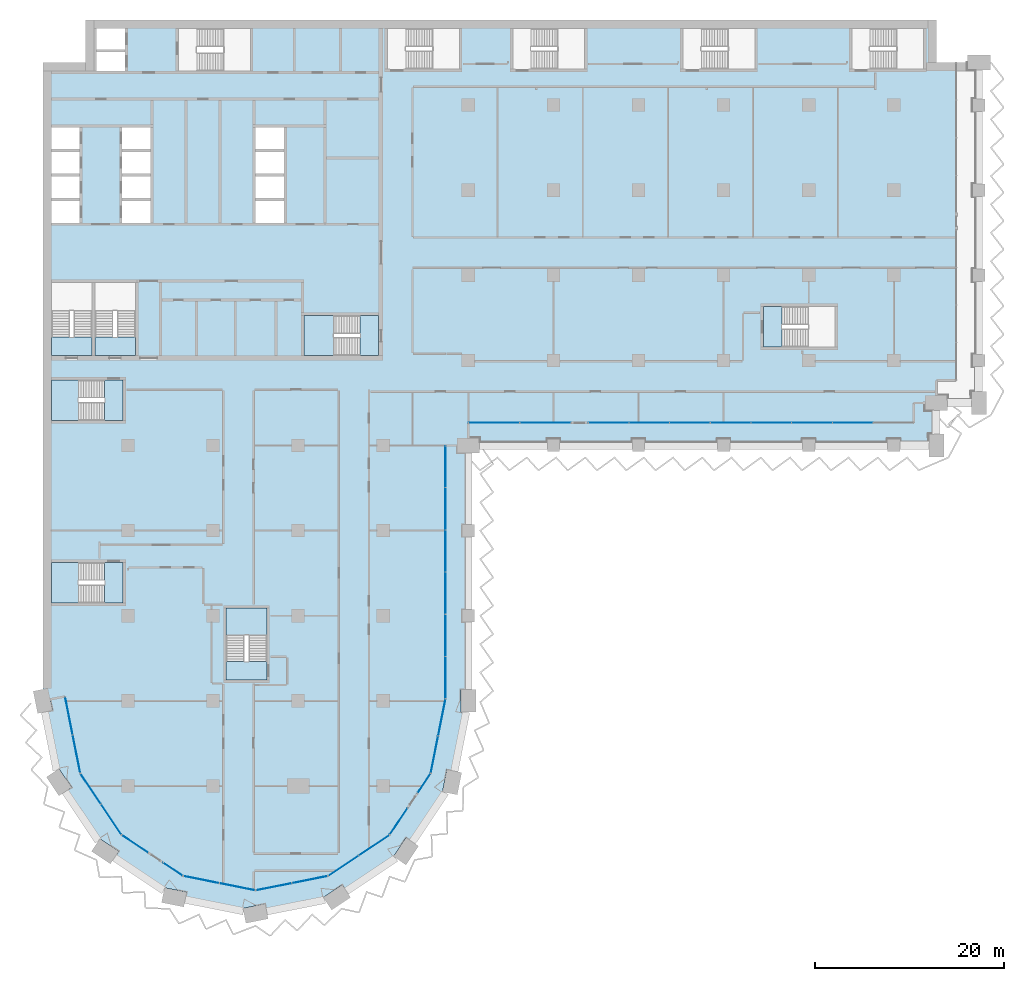
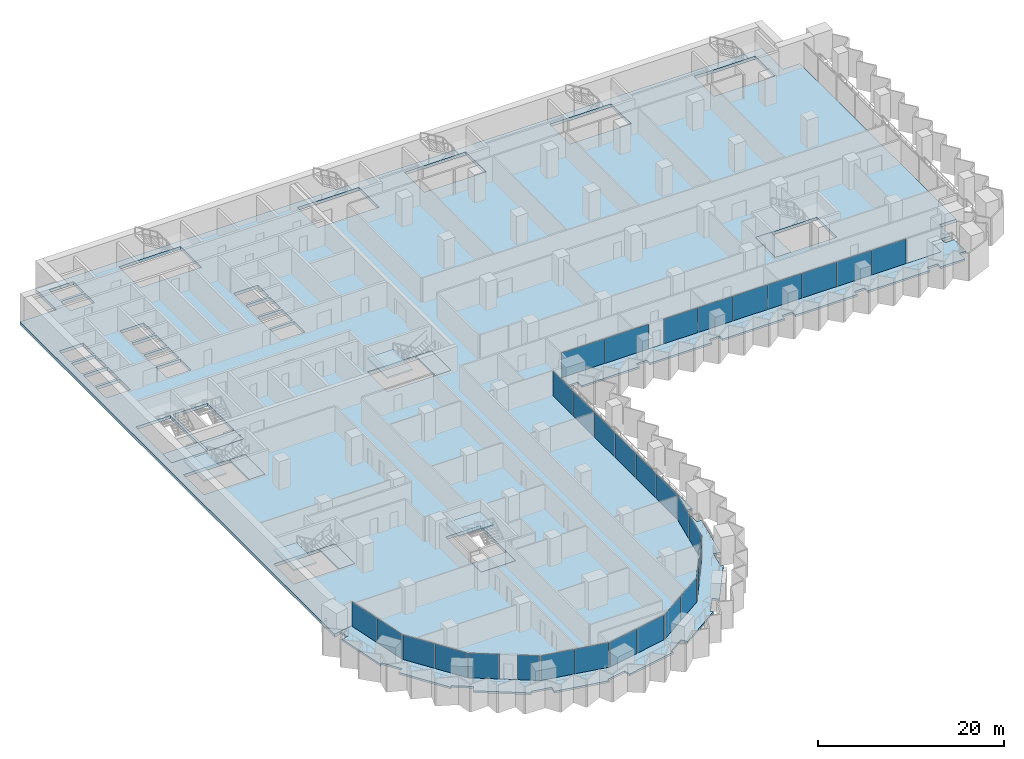
# One storey, part 8 of 29: 31 plates, 14 slabs, 17 elements without a shape of their own.
"""IFC4 building model written with IfcOpenShell, lengths in metres."""

from ifc_helpers import new_model, si_unit, direction, frame, origin, origin_2d, place, context, subcontext, project, spatial, polyline, rectangle, outline, extrude, material, layer, layer_set, type_object, element, aggregate, save


model = new_model("IFC4")

# Units and contexts
model_context = context("Model", 3, precision=1e-05, world=origin(), true_north=direction((0.0, 1.0)))
body_context = subcontext(model_context, "Body", "Model", "MODEL_VIEW")
ifc_project = project(units=[si_unit("LENGTHUNIT", "METRE"), si_unit("AREAUNIT", "SQUARE_METRE"), si_unit("VOLUMEUNIT", "CUBIC_METRE"), si_unit("PLANEANGLEUNIT", "RADIAN"), si_unit("MASSUNIT", "GRAM", prefix="KILO")], contexts=[model_context])

# Site, building, storey
site_placement = place(None, origin())
site = spatial("IfcSite", under=ifc_project, at=site_placement, CompositionType="ELEMENT")
building_placement = place(site_placement, origin())
building = spatial("IfcBuilding", under=site, at=building_placement, Name="Hunhe Ridgeline Campus", CompositionType="ELEMENT")
storey_placement = place(building_placement, frame((0.0, 0.0, 46.89990234375)))
storey = spatial("IfcBuildingStorey", under=building, at=storey_placement, Name="L10", CompositionType="ELEMENT", Elevation=46.89990234375)

# Curtain wall, plates
ifc_material_1 = material(Name="Aluminium 6063", Category="aluminium")
curtain_wall_type_1 = type_object("IfcCurtainWallType", Name="Curtain wall CW-5", PredefinedType="NOTDEFINED", material=ifc_material_1)
curtain_wall_1_placement = place(storey_placement, origin())
curtain_wall_1 = element("IfcCurtainWall", 1, at=curtain_wall_1_placement, inside=storey, type_object=curtain_wall_type_1, Name="Curtain wall 01", PredefinedType="NOTDEFINED")
ifc_material_2 = material(Name="Low-e laminated glass", Category="glass")
ifc_layer_1 = layer(ifc_material_2, 0.028076171875)
ifc_layer_set_1 = layer_set([ifc_layer_1], Name="Curtain wall glass panel 28 low-e laminated")
plate_type = type_object("IfcPlateType", Name="Curtain wall glass panel 28 low-e laminated", PredefinedType="CURTAIN_PANEL", material=ifc_layer_set_1)
plate_1_placement = place(storey_placement, frame((2.76318359375, 25.416015625, 0.0), z_axis=(0.0, 0.0, 1.0), x_axis=(0.195095347137, -0.980784280831, 0.0)))
plate_1 = element("IfcPlate", 2, at=plate_1_placement, type_object=plate_type, Name="CW-5 panel 1", PredefinedType="CURTAIN_PANEL", context=body_context, shape_type="SweptSolid", body=[
    extrude(rectangle(XDim=4.0458984375, YDim=0.028076171875, at=origin_2d()), origin(), (0.0, 0.0, 1.0), 3.22998046875),
])
plate_2_placement = place(storey_placement, frame((3.566162109375, 21.379150390625, 0.0), z_axis=(0.0, 0.0, 1.0), x_axis=(0.195095347137, -0.980784280831, 0.0)))
plate_2 = element("IfcPlate", 3, at=plate_2_placement, type_object=plate_type, Name="CW-5 panel 2", PredefinedType="CURTAIN_PANEL", context=body_context, shape_type="SweptSolid", body=[
    extrude(rectangle(XDim=4.0458984375, YDim=0.028076171875, at=origin_2d()), origin(), (0.0, 0.0, 1.0), 3.22998046875),
])
aggregate(curtain_wall_1, [plate_1, plate_2])

curtain_wall_2_placement = place(storey_placement, origin())
curtain_wall_2 = element("IfcCurtainWall", 4, at=curtain_wall_2_placement, inside=storey, type_object=curtain_wall_type_1, Name="Curtain wall 02", PredefinedType="NOTDEFINED")
plate_3_placement = place(storey_placement, frame((5.07080078125, 17.685546875, 0.0), z_axis=(0.0, 0.0, 1.0), x_axis=(0.555570274596, -0.831469584522, 0.0)))
plate_3 = element("IfcPlate", 5, at=plate_3_placement, type_object=plate_type, Name="CW-5 panel 1", PredefinedType="CURTAIN_PANEL", context=body_context, shape_type="SweptSolid", body=[
    extrude(rectangle(XDim=3.806884765625, YDim=0.028076171875, at=origin_2d()), origin(), (0.0, 0.0, 1.0), 3.22998046875),
])
plate_4_placement = place(storey_placement, frame((7.224609375, 14.4619140625, 0.0), z_axis=(0.0, 0.0, 1.0), x_axis=(0.555570274596, -0.831469584522, 0.0)))
plate_4 = element("IfcPlate", 6, at=plate_4_placement, type_object=plate_type, Name="CW-5 panel 2", PredefinedType="CURTAIN_PANEL", context=body_context, shape_type="SweptSolid", body=[
    extrude(rectangle(XDim=3.806884765625, YDim=0.028076171875, at=origin_2d()), origin(), (0.0, 0.0, 1.0), 3.22998046875),
])
aggregate(curtain_wall_2, [plate_3, plate_4])

# Curtain wall, plate
curtain_wall_3_placement = place(storey_placement, origin())
curtain_wall_3 = element("IfcCurtainWall", 7, at=curtain_wall_3_placement, inside=storey, type_object=curtain_wall_type_1, Name="Curtain wall 03", PredefinedType="NOTDEFINED")
plate_5_placement = place(storey_placement, frame((9.76025390625, 11.859375, 0.0), z_axis=(0.0, 0.0, 1.0), x_axis=(0.831469595944, -0.555570257501, 0.0)))
plate_5 = element("IfcPlate", 8, at=plate_5_placement, type_object=plate_type, Name="CW-5 panel 1", PredefinedType="CURTAIN_PANEL", context=body_context, shape_type="SweptSolid", body=[
    extrude(rectangle(XDim=3.322021484375, YDim=0.028076171875, at=origin_2d()), origin(), (0.0, 0.0, 1.0), 3.22998046875),
])
aggregate(curtain_wall_3, [plate_5])

curtain_wall_4_placement = place(storey_placement, origin())
curtain_wall_4 = element("IfcCurtainWall", 9, at=curtain_wall_4_placement, inside=storey, type_object=curtain_wall_type_1, Name="Curtain wall 04", PredefinedType="NOTDEFINED")
plate_6_placement = place(storey_placement, frame((13.761474609375, 9.18603515625, 0.0), z_axis=(0.0, 0.0, 1.0), x_axis=(0.831469510353, -0.555570385598, 0.0)))
plate_6 = element("IfcPlate", 10, at=plate_6_placement, type_object=plate_type, Name="CW-5 panel 1", PredefinedType="CURTAIN_PANEL", context=body_context, shape_type="SweptSolid", body=[
    extrude(rectangle(XDim=2.421875, YDim=0.028076171875, at=origin_2d()), origin(), (0.0, 0.0, 1.0), 3.22998046875),
])
aggregate(curtain_wall_4, [plate_6])

# Curtain wall, plates
curtain_wall_5_placement = place(storey_placement, origin())
curtain_wall_5 = element("IfcCurtainWall", 11, at=curtain_wall_5_placement, inside=storey, type_object=curtain_wall_type_1, Name="Curtain wall 05", PredefinedType="NOTDEFINED")
plate_7_placement = place(storey_placement, frame((16.761962890625, 8.08935546875, 0.0), z_axis=(0.0, 0.0, 1.0), x_axis=(0.980785275326, -0.195090347539, 0.0)))
plate_7 = element("IfcPlate", 12, at=plate_7_placement, type_object=plate_type, Name="CW-5 panel 1", PredefinedType="CURTAIN_PANEL", context=body_context, shape_type="SweptSolid", body=[
    extrude(rectangle(XDim=3.806884765625, YDim=0.028076171875, at=origin_2d()), origin(), (0.0, 0.0, 1.0), 3.22998046875),
])
plate_8_placement = place(storey_placement, frame((20.564453125, 7.3330078125, 0.0), z_axis=(0.0, 0.0, 1.0), x_axis=(0.980785275326, -0.195090347539, 0.0)))
plate_8 = element("IfcPlate", 13, at=plate_8_placement, type_object=plate_type, Name="CW-5 panel 2", PredefinedType="CURTAIN_PANEL", context=body_context, shape_type="SweptSolid", body=[
    extrude(rectangle(XDim=3.806884765625, YDim=0.028076171875, at=origin_2d()), origin(), (0.0, 0.0, 1.0), 3.22998046875),
])
aggregate(curtain_wall_5, [plate_7, plate_8])

curtain_wall_6_placement = place(storey_placement, origin())
curtain_wall_6 = element("IfcCurtainWall", 14, at=curtain_wall_6_placement, inside=storey, type_object=curtain_wall_type_1, Name="Curtain wall 06", PredefinedType="NOTDEFINED")
plate_9_placement = place(storey_placement, frame((24.435546875, 7.3330078125, 0.0), z_axis=(0.0, 0.0, 1.0), x_axis=(0.980785275326, 0.195090347539, 0.0)))
plate_9 = element("IfcPlate", 15, at=plate_9_placement, type_object=plate_type, Name="CW-5 panel 1", PredefinedType="CURTAIN_PANEL", context=body_context, shape_type="SweptSolid", body=[
    extrude(rectangle(XDim=3.806884765625, YDim=0.028076171875, at=origin_2d()), origin(), (0.0, 0.0, 1.0), 3.22998046875),
])
plate_10_placement = place(storey_placement, frame((28.238037109375, 8.08935546875, 0.0), z_axis=(0.0, 0.0, 1.0), x_axis=(0.980785275326, 0.195090347539, 0.0)))
plate_10 = element("IfcPlate", 16, at=plate_10_placement, type_object=plate_type, Name="CW-5 panel 2", PredefinedType="CURTAIN_PANEL", context=body_context, shape_type="SweptSolid", body=[
    extrude(rectangle(XDim=3.806884765625, YDim=0.028076171875, at=origin_2d()), origin(), (0.0, 0.0, 1.0), 3.22998046875),
])
aggregate(curtain_wall_6, [plate_9, plate_10])

curtain_wall_7_placement = place(storey_placement, origin())
curtain_wall_7 = element("IfcCurtainWall", 17, at=curtain_wall_7_placement, inside=storey, type_object=curtain_wall_type_1, Name="Curtain wall 07", PredefinedType="NOTDEFINED")
plate_11_placement = place(storey_placement, frame((31.814453125, 9.57080078125, 0.0), z_axis=(0.0, 0.0, 1.0), x_axis=(0.831469584522, 0.555570274596, 0.0)))
plate_11 = element("IfcPlate", 18, at=plate_11_placement, type_object=plate_type, Name="CW-5 panel 1", PredefinedType="CURTAIN_PANEL", context=body_context, shape_type="SweptSolid", body=[
    extrude(rectangle(XDim=3.806884765625, YDim=0.028076171875, at=origin_2d()), origin(), (0.0, 0.0, 1.0), 3.22998046875),
])
plate_12_placement = place(storey_placement, frame((35.0380859375, 11.724609375, 0.0), z_axis=(0.0, 0.0, 1.0), x_axis=(0.831469584522, 0.555570274596, 0.0)))
plate_12 = element("IfcPlate", 19, at=plate_12_placement, type_object=plate_type, Name="CW-5 panel 2", PredefinedType="CURTAIN_PANEL", context=body_context, shape_type="SweptSolid", body=[
    extrude(rectangle(XDim=3.806884765625, YDim=0.028076171875, at=origin_2d()), origin(), (0.0, 0.0, 1.0), 3.22998046875),
])
aggregate(curtain_wall_7, [plate_11, plate_12])

# Curtain wall, plate
curtain_wall_8_placement = place(storey_placement, origin())
curtain_wall_8 = element("IfcCurtainWall", 20, at=curtain_wall_8_placement, inside=storey, type_object=curtain_wall_type_1, Name="Curtain wall 08", PredefinedType="NOTDEFINED")
plate_13_placement = place(storey_placement, frame((37.640625, 14.26025390625, 0.0), z_axis=(0.0, 0.0, 1.0), x_axis=(0.555570257501, 0.831469595944, 0.0)))
plate_13 = element("IfcPlate", 21, at=plate_13_placement, type_object=plate_type, Name="CW-5 panel 1", PredefinedType="CURTAIN_PANEL", context=body_context, shape_type="SweptSolid", body=[
    extrude(rectangle(XDim=3.322021484375, YDim=0.028076171875, at=origin_2d()), origin(), (0.0, 0.0, 1.0), 3.22998046875),
])
aggregate(curtain_wall_8, [plate_13])

curtain_wall_9_placement = place(storey_placement, origin())
curtain_wall_9 = element("IfcCurtainWall", 22, at=curtain_wall_9_placement, inside=storey, type_object=curtain_wall_type_1, Name="Curtain wall 09", PredefinedType="NOTDEFINED")
plate_14_placement = place(storey_placement, frame((40.31396484375, 18.261474609375, 0.0), z_axis=(0.0, 0.0, 1.0), x_axis=(0.555570385598, 0.831469510353, 0.0)))
plate_14 = element("IfcPlate", 23, at=plate_14_placement, type_object=plate_type, Name="CW-5 panel 1", PredefinedType="CURTAIN_PANEL", context=body_context, shape_type="SweptSolid", body=[
    extrude(rectangle(XDim=2.421875, YDim=0.028076171875, at=origin_2d()), origin(), (0.0, 0.0, 1.0), 3.22998046875),
])
aggregate(curtain_wall_9, [plate_14])

# Curtain wall, plates
curtain_wall_10_placement = place(storey_placement, origin())
curtain_wall_10 = element("IfcCurtainWall", 24, at=curtain_wall_10_placement, inside=storey, type_object=curtain_wall_type_1, Name="Curtain wall 10", PredefinedType="NOTDEFINED")
plate_15_placement = place(storey_placement, frame((41.42236328125, 21.321044921875, 0.0), z_axis=(0.0, 0.0, 1.0), x_axis=(0.195090299215, 0.980785284939, 0.0)))
plate_15 = element("IfcPlate", 25, at=plate_15_placement, type_object=plate_type, Name="CW-5 panel 1", PredefinedType="CURTAIN_PANEL", context=body_context, shape_type="SweptSolid", body=[
    extrude(rectangle(XDim=3.927490234375, YDim=0.028076171875, at=origin_2d()), origin(), (0.0, 0.0, 1.0), 3.22998046875),
])
plate_16_placement = place(storey_placement, frame((42.2021484375, 25.24169921875, 0.0), z_axis=(0.0, 0.0, 1.0), x_axis=(0.195090299215, 0.980785284939, 0.0)))
plate_16 = element("IfcPlate", 26, at=plate_16_placement, type_object=plate_type, Name="CW-5 panel 2", PredefinedType="CURTAIN_PANEL", context=body_context, shape_type="SweptSolid", body=[
    extrude(rectangle(XDim=3.927490234375, YDim=0.028076171875, at=origin_2d()), origin(), (0.0, 0.0, 1.0), 3.22998046875),
])
aggregate(curtain_wall_10, [plate_15, plate_16])

curtain_wall_type_2 = type_object("IfcCurtainWallType", Name="Curtain wall CW-1", PredefinedType="NOTDEFINED", material=ifc_material_1)
curtain_wall_11_placement = place(storey_placement, origin())
curtain_wall_11 = element("IfcCurtainWall", 27, at=curtain_wall_11_placement, inside=storey, type_object=curtain_wall_type_2, Name="Curtain wall 11", PredefinedType="NOTDEFINED")
plate_17_placement = place(storey_placement, frame((42.59912109375, 29.481689453125, 0.0), z_axis=(0.0, 0.0, 1.0), x_axis=(1.8682e-07, 1.0, 0.0)))
plate_17 = element("IfcPlate", 28, at=plate_17_placement, type_object=plate_type, Name="CW-1 panel 1", PredefinedType="CURTAIN_PANEL", context=body_context, shape_type="SweptSolid", body=[
    extrude(rectangle(XDim=4.37060546875, YDim=0.028076171875, at=origin_2d()), origin(), (0.0, 0.0, 1.0), 3.239990234375),
])
plate_18_placement = place(storey_placement, frame((42.59912109375, 33.927490234375, 0.0), z_axis=(0.0, 0.0, 1.0), x_axis=(1.8682e-07, 1.0, 0.0)))
plate_18 = element("IfcPlate", 29, at=plate_18_placement, type_object=plate_type, Name="CW-1 panel 2", PredefinedType="CURTAIN_PANEL", context=body_context, shape_type="SweptSolid", body=[
    extrude(rectangle(XDim=4.400634765625, YDim=0.028076171875, at=origin_2d()), origin(), (0.0, 0.0, 1.0), 3.239990234375),
])
plate_19_placement = place(storey_placement, frame((42.59912109375, 38.387939453125, 0.0), z_axis=(0.0, 0.0, 1.0), x_axis=(1.8682e-07, 1.0, 0.0)))
plate_19 = element("IfcPlate", 30, at=plate_19_placement, type_object=plate_type, Name="CW-1 panel 3", PredefinedType="CURTAIN_PANEL", context=body_context, shape_type="SweptSolid", body=[
    extrude(rectangle(XDim=4.400634765625, YDim=0.028076171875, at=origin_2d()), origin(), (0.0, 0.0, 1.0), 3.239990234375),
])
plate_20_placement = place(storey_placement, frame((42.59912109375, 42.8486328125, 0.0), z_axis=(0.0, 0.0, 1.0), x_axis=(1.8682e-07, 1.0, 0.0)))
plate_20 = element("IfcPlate", 31, at=plate_20_placement, type_object=plate_type, Name="CW-1 panel 4", PredefinedType="CURTAIN_PANEL", context=body_context, shape_type="SweptSolid", body=[
    extrude(rectangle(XDim=4.400634765625, YDim=0.028076171875, at=origin_2d()), origin(), (0.0, 0.0, 1.0), 3.239990234375),
])
plate_21_placement = place(storey_placement, frame((42.59912109375, 47.30908203125, 0.0), z_axis=(0.0, 0.0, 1.0), x_axis=(1.8682e-07, 1.0, 0.0)))
plate_21 = element("IfcPlate", 32, at=plate_21_placement, type_object=plate_type, Name="CW-1 panel 5", PredefinedType="CURTAIN_PANEL", context=body_context, shape_type="SweptSolid", body=[
    extrude(rectangle(XDim=4.400634765625, YDim=0.028076171875, at=origin_2d()), origin(), (0.0, 0.0, 1.0), 3.239990234375),
])
plate_22_placement = place(storey_placement, frame((42.59912109375, 51.7548828125, 0.0), z_axis=(0.0, 0.0, 1.0), x_axis=(1.8682e-07, 1.0, 0.0)))
plate_22 = element("IfcPlate", 33, at=plate_22_placement, type_object=plate_type, Name="CW-1 panel 6", PredefinedType="CURTAIN_PANEL", context=body_context, shape_type="SweptSolid", body=[
    extrude(rectangle(XDim=4.37060546875, YDim=0.028076171875, at=origin_2d()), origin(), (0.0, 0.0, 1.0), 3.239990234375),
])
aggregate(curtain_wall_11, [plate_17, plate_18, plate_19, plate_20, plate_21, plate_22])

curtain_wall_12_placement = place(storey_placement, origin())
curtain_wall_12 = element("IfcCurtainWall", 34, at=curtain_wall_12_placement, inside=storey, type_object=curtain_wall_type_2, Name="Curtain wall 12", PredefinedType="NOTDEFINED")
plate_23_placement = place(storey_placement, frame((47.733154296875, 56.40087890625, 0.0), z_axis=(0.0, 0.0, 1.0), x_axis=(0.999999999994, 3.58625e-06, 0.0)))
plate_23 = element("IfcPlate", 35, at=plate_23_placement, type_object=plate_type, Name="CW-1 panel 1", PredefinedType="CURTAIN_PANEL", context=body_context, shape_type="SweptSolid", body=[
    extrude(rectangle(XDim=5.347412109375, YDim=0.028076171875, at=origin_2d()), origin(), (0.0, 0.0, 1.0), 3.239990234375),
])
plate_24_placement = place(storey_placement, frame((53.140625, 56.40087890625, 0.0), z_axis=(0.0, 0.0, 1.0), x_axis=(0.999999999994, 3.58625e-06, 0.0)))
plate_24 = element("IfcPlate", 36, at=plate_24_placement, type_object=plate_type, Name="CW-1 panel 2", PredefinedType="CURTAIN_PANEL", context=body_context, shape_type="SweptSolid", body=[
    extrude(rectangle(XDim=5.347412109375, YDim=0.028076171875, at=origin_2d()), origin(), (0.0, 0.0, 1.0), 3.239990234375),
])
aggregate(curtain_wall_12, [plate_23, plate_24])

curtain_wall_13_placement = place(storey_placement, origin())
curtain_wall_13 = element("IfcCurtainWall", 37, at=curtain_wall_13_placement, inside=storey, type_object=curtain_wall_type_2, Name="Curtain wall 13", PredefinedType="NOTDEFINED")
plate_25_placement = place(storey_placement, frame((59.8408203125, 56.40087890625, 0.0), z_axis=(0.0, 0.0, 1.0), x_axis=(0.999999999994, 3.602063e-06, 0.0)))
plate_25 = element("IfcPlate", 38, at=plate_25_placement, type_object=plate_type, Name="CW-1 panel 1", PredefinedType="CURTAIN_PANEL", context=body_context, shape_type="SweptSolid", body=[
    extrude(rectangle(XDim=4.213134765625, YDim=0.028076171875, at=origin_2d()), origin(), (0.0, 0.0, 1.0), 3.239990234375),
])
plate_26_placement = place(storey_placement, frame((64.12890625, 56.40087890625, 0.0), z_axis=(0.0, 0.0, 1.0), x_axis=(0.999999999994, 3.602063e-06, 0.0)))
plate_26 = element("IfcPlate", 39, at=plate_26_placement, type_object=plate_type, Name="CW-1 panel 2", PredefinedType="CURTAIN_PANEL", context=body_context, shape_type="SweptSolid", body=[
    extrude(rectangle(XDim=4.2431640625, YDim=0.028076171875, at=origin_2d()), origin(), (0.0, 0.0, 1.0), 3.239990234375),
])
plate_27_placement = place(storey_placement, frame((68.43212890625, 56.40087890625, 0.0), z_axis=(0.0, 0.0, 1.0), x_axis=(0.999999999994, 3.602063e-06, 0.0)))
plate_27 = element("IfcPlate", 40, at=plate_27_placement, type_object=plate_type, Name="CW-1 panel 3", PredefinedType="CURTAIN_PANEL", context=body_context, shape_type="SweptSolid", body=[
    extrude(rectangle(XDim=4.2431640625, YDim=0.028076171875, at=origin_2d()), origin(), (0.0, 0.0, 1.0), 3.239990234375),
])
plate_28_placement = place(storey_placement, frame((72.735107421875, 56.40087890625, 0.0), z_axis=(0.0, 0.0, 1.0), x_axis=(0.999999999994, 3.602063e-06, 0.0)))
plate_28 = element("IfcPlate", 41, at=plate_28_placement, type_object=plate_type, Name="CW-1 panel 4", PredefinedType="CURTAIN_PANEL", context=body_context, shape_type="SweptSolid", body=[
    extrude(rectangle(XDim=4.2431640625, YDim=0.028076171875, at=origin_2d()), origin(), (0.0, 0.0, 1.0), 3.239990234375),
])
plate_29_placement = place(storey_placement, frame((77.038330078125, 56.40087890625, 0.0), z_axis=(0.0, 0.0, 1.0), x_axis=(0.999999999994, 3.602063e-06, 0.0)))
plate_29 = element("IfcPlate", 42, at=plate_29_placement, type_object=plate_type, Name="CW-1 panel 5", PredefinedType="CURTAIN_PANEL", context=body_context, shape_type="SweptSolid", body=[
    extrude(rectangle(XDim=4.2431640625, YDim=0.028076171875, at=origin_2d()), origin(), (0.0, 0.0, 1.0), 3.239990234375),
])
plate_30_placement = place(storey_placement, frame((81.34130859375, 56.40087890625, 0.0), z_axis=(0.0, 0.0, 1.0), x_axis=(0.999999999994, 3.602063e-06, 0.0)))
plate_30 = element("IfcPlate", 43, at=plate_30_placement, type_object=plate_type, Name="CW-1 panel 6", PredefinedType="CURTAIN_PANEL", context=body_context, shape_type="SweptSolid", body=[
    extrude(rectangle(XDim=4.2431640625, YDim=0.028076171875, at=origin_2d()), origin(), (0.0, 0.0, 1.0), 3.239990234375),
])
plate_31_placement = place(storey_placement, frame((85.644287109375, 56.40087890625, 0.0), z_axis=(0.0, 0.0, 1.0), x_axis=(0.999999999994, 3.602063e-06, 0.0)))
plate_31 = element("IfcPlate", 44, at=plate_31_placement, type_object=plate_type, Name="CW-1 panel 7", PredefinedType="CURTAIN_PANEL", context=body_context, shape_type="SweptSolid", body=[
    extrude(rectangle(XDim=4.2431640625, YDim=0.028076171875, at=origin_2d()), origin(), (0.0, 0.0, 1.0), 3.239990234375),
])
aggregate(curtain_wall_13, [plate_25, plate_26, plate_27, plate_28, plate_29, plate_30, plate_31])

# Slabs
ifc_material_3 = material(Name="Concrete C40", Category="concrete")
ifc_layer_2 = layer(ifc_material_3, 0.39990234375)
ifc_layer_set_2 = layer_set([ifc_layer_2], Name="Floor slab 400 Concrete C40")
slab_type_1 = type_object("IfcSlabType", Name="Floor slab 400 Concrete C40", PredefinedType="FLOOR", material=ifc_layer_set_2)
slab_1_placement = place(storey_placement, frame((0.0, 0.0, -0.39990234375)))
element("IfcSlab", 45, at=slab_1_placement, inside=storey, type_object=slab_type_1, Name="Floor slab L10 1", PredefinedType="FLOOR", context=body_context, shape_type="SweptSolid", body=[
    extrude(outline(polyline([(4.5, 94.5), (0.0, 94.5), (0.0, 27.0009765625), (2.354736328125, 27.46875), (3.974365234375, 19.326416015625), (8.321044921875, 12.821044921875), (14.826416015625, 8.474365234375), (22.5, 6.947998046875), (30.173583984375, 8.474365234375), (36.678955078125, 12.821044921875), (41.025634765625, 19.326416015625), (42.59912109375, 27.236572265625), (42.59912109375, 54.0), (44.9990234375, 54.0009765625), (44.99951171875, 56.40087890625), (92.09912109375, 56.40087890625), (92.099365234375, 58.500732421875), (94.4990234375, 58.5009765625), (94.499267578125, 60.900634765625), (96.59912109375, 60.90087890625), (96.59912109375, 94.5), (94.5, 94.5), (94.5, 99.0), (4.5, 99.0), (4.5, 94.5)]), holes=[polyline([(93.14990234375, 93.800048828125), (93.14990234375, 98.10009765625), (85.550048828125, 98.10009765625), (85.550048828125, 93.800048828125), (93.14990234375, 93.800048828125)]), polyline([(76.199951171875, 68.699951171875), (76.199951171875, 64.39990234375), (83.800048828125, 64.39990234375), (83.800048828125, 68.699951171875), (76.199951171875, 68.699951171875)]), polyline([(75.300048828125, 98.10009765625), (67.699951171875, 98.10009765625), (67.699951171875, 93.800048828125), (75.300048828125, 93.800048828125), (75.300048828125, 98.10009765625)]), polyline([(49.699951171875, 98.10009765625), (49.699951171875, 93.800048828125), (57.300048828125, 93.800048828125), (57.300048828125, 98.10009765625), (49.699951171875, 98.10009765625)]), polyline([(36.449951171875, 93.800048828125), (44.050048828125, 93.800048828125), (44.050048828125, 98.10009765625), (36.449951171875, 98.10009765625), (36.449951171875, 93.800048828125)]), polyline([(35.5, 63.5), (35.5, 67.75), (27.60009765625, 67.75), (27.60009765625, 63.5), (35.5, 63.5)]), polyline([(25.5, 80.14990234375), (25.5, 82.449951171875), (22.5, 82.449951171875), (22.5, 80.14990234375), (25.5, 80.14990234375)]), polyline([(25.5, 79.85009765625), (22.5, 79.85009765625), (22.5, 77.550048828125), (25.5, 77.550048828125), (25.5, 79.85009765625)]), polyline([(22.5, 87.64990234375), (22.5, 85.35009765625), (25.5, 85.35009765625), (25.5, 87.64990234375), (22.5, 87.64990234375)]), polyline([(22.5, 82.75), (25.5, 82.75), (25.5, 85.050048828125), (22.5, 85.050048828125), (22.5, 82.75)]), polyline([(23.699951171875, 29.199951171875), (23.699951171875, 36.800048828125), (19.39990234375, 36.800048828125), (19.39990234375, 29.199951171875), (23.699951171875, 29.199951171875)]), polyline([(14.35009765625, 93.60009765625), (21.949951171875, 93.60009765625), (21.949951171875, 98.10009765625), (14.35009765625, 98.10009765625), (14.35009765625, 93.60009765625)]), polyline([(11.39990234375, 79.85009765625), (8.39990234375, 79.85009765625), (8.39990234375, 77.550048828125), (11.39990234375, 77.550048828125), (11.39990234375, 79.85009765625)]), polyline([(11.39990234375, 80.14990234375), (11.39990234375, 82.449951171875), (8.39990234375, 82.449951171875), (8.39990234375, 80.14990234375), (11.39990234375, 80.14990234375)]), polyline([(8.39990234375, 87.64990234375), (8.39990234375, 85.35009765625), (11.39990234375, 85.35009765625), (11.39990234375, 87.64990234375), (8.39990234375, 87.64990234375)]), polyline([(8.39990234375, 82.75), (11.39990234375, 82.75), (11.39990234375, 85.050048828125), (8.39990234375, 85.050048828125), (8.39990234375, 82.75)]), polyline([(9.800048828125, 71.25), (5.5, 71.25), (5.5, 63.5), (9.800048828125, 63.5), (9.800048828125, 71.25)]), polyline([(8.699951171875, 95.89990234375), (8.699951171875, 98.10009765625), (5.699951171875, 98.10009765625), (5.699951171875, 95.89990234375), (8.699951171875, 95.89990234375)]), polyline([(8.699951171875, 95.60009765625), (5.699951171875, 95.60009765625), (5.699951171875, 93.60009765625), (8.699951171875, 93.60009765625), (8.699951171875, 95.60009765625)]), polyline([(0.89990234375, 37.35009765625), (8.5, 37.35009765625), (8.5, 41.64990234375), (0.89990234375, 41.64990234375), (0.89990234375, 37.35009765625)]), polyline([(0.89990234375, 60.949951171875), (0.89990234375, 56.64990234375), (8.5, 56.64990234375), (8.5, 60.949951171875), (0.89990234375, 60.949951171875)]), polyline([(0.89990234375, 71.25), (0.89990234375, 63.5), (5.199951171875, 63.5), (5.199951171875, 71.25), (0.89990234375, 71.25)]), polyline([(3.89990234375, 80.14990234375), (3.89990234375, 82.449951171875), (0.89990234375, 82.449951171875), (0.89990234375, 80.14990234375), (3.89990234375, 80.14990234375)]), polyline([(3.89990234375, 79.85009765625), (0.89990234375, 79.85009765625), (0.89990234375, 77.550048828125), (3.89990234375, 77.550048828125), (3.89990234375, 79.85009765625)]), polyline([(0.89990234375, 87.64990234375), (0.89990234375, 85.35009765625), (3.89990234375, 85.35009765625), (3.89990234375, 87.64990234375), (0.89990234375, 87.64990234375)]), polyline([(0.89990234375, 82.75), (3.89990234375, 82.75), (3.89990234375, 85.050048828125), (0.89990234375, 85.050048828125), (0.89990234375, 82.75)])]), origin(), (0.0, 0.0, 1.0), 0.39990234375),
])
ifc_layer_3 = layer(ifc_material_3, 0.25)
ifc_layer_set_3 = layer_set([ifc_layer_3], Name="Loggia slab 250 Concrete C40")
slab_type_2 = type_object("IfcSlabType", Name="Loggia slab 250 Concrete C40", PredefinedType="FLOOR", material=ifc_layer_set_3)
slab_2_placement = place(storey_placement, frame((0.0, 0.0, -0.25)))
element("IfcSlab", 46, at=slab_2_placement, inside=storey, type_object=slab_type_2, Name="Loggia slab 1", PredefinedType="FLOOR", context=body_context, shape_type="SweptSolid", body=[
    extrude(outline(polyline([(30.173828125, 8.473388671875), (22.5, 6.947021484375), (14.826171875, 8.473388671875), (8.3203125, 12.8203125), (3.973388671875, 19.326171875), (2.35400390625, 27.46826171875), (0.78466796875, 27.156005859375), (1.018798828125, 25.979248046875), (0.234130859375, 25.822998046875), (1.459228515625, 19.66357421875), (1.711181640625, 19.831787109375), (3.044677734375, 17.83642578125), (2.37939453125, 17.391845703125), (5.868408203125, 12.170166015625), (6.036865234375, 12.421875), (8.0322265625, 11.088623046875), (7.587890625, 10.42333984375), (12.8095703125, 6.934326171875), (12.86865234375, 7.2314453125), (15.22265625, 6.76318359375), (15.066650390625, 5.978515625), (21.22607421875, 4.75341796875), (21.1669921875, 5.050537109375), (23.520751953125, 5.518798828125), (23.677001953125, 4.734130859375), (29.83642578125, 5.959228515625), (29.668212890625, 6.211181640625), (31.66357421875, 7.544677734375), (32.108154296875, 6.87939453125), (37.329833984375, 10.368408203125), (37.078125, 10.536865234375), (38.411376953125, 12.5322265625), (39.07666015625, 12.087890625), (42.565673828125, 17.3095703125), (42.2685546875, 17.36865234375), (42.73681640625, 19.72265625), (43.521484375, 19.566650390625), (44.76123046875, 25.800048828125), (44.199951171875, 25.800048828125), (44.199951171875, 28.199951171875), (45.0, 28.199951171875), (45.0, 35.35009765625), (44.35009765625, 35.35009765625), (44.35009765625, 36.64990234375), (45.0, 36.64990234375), (45.0, 44.35009765625), (44.35009765625, 44.35009765625), (44.35009765625, 45.64990234375), (45.0, 45.64990234375), (45.0, 53.199951171875), (43.800048828125, 53.199951171875), (43.800048828125, 54.0), (42.60009765625, 54.0), (42.60009765625, 27.236328125), (41.026611328125, 19.326171875), (36.6796875, 12.8203125), (30.173828125, 8.473388671875)])), origin(), (0.0, 0.0, 1.0), 0.25),
])
slab_3_placement = place(storey_placement, frame((0.0, 0.0, -0.25)))
element("IfcSlab", 47, at=slab_3_placement, inside=storey, type_object=slab_type_2, Name="Loggia slab 2", PredefinedType="FLOOR", context=body_context, shape_type="SweptSolid", body=[
    extrude(outline(polyline([(45.0, 54.800048828125), (46.199951171875, 54.800048828125), (46.199951171875, 54.0), (53.35009765625, 54.0), (53.35009765625, 54.64990234375), (54.64990234375, 54.64990234375), (54.64990234375, 54.0), (62.35009765625, 54.0), (62.35009765625, 54.64990234375), (63.64990234375, 54.64990234375), (63.64990234375, 54.0), (71.35009765625, 54.0), (71.35009765625, 54.64990234375), (72.64990234375, 54.64990234375), (72.64990234375, 54.0), (80.35009765625, 54.0), (80.35009765625, 54.64990234375), (81.64990234375, 54.64990234375), (81.64990234375, 54.0), (89.35009765625, 54.0), (89.35009765625, 54.64990234375), (90.64990234375, 54.64990234375), (90.64990234375, 54.0), (93.699951171875, 54.0), (93.699951171875, 55.199951171875), (94.5, 55.199951171875), (94.5, 57.699951171875), (93.300048828125, 57.699951171875), (93.300048828125, 58.5), (92.10009765625, 58.5), (92.10009765625, 56.39990234375), (45.0, 56.39990234375), (45.0, 54.800048828125)])), origin(), (0.0, 0.0, 1.0), 0.25),
])

# Stair, slab
stair_type = type_object("IfcStairType", Name="Reinforced concrete dog-leg stair 1950 Concrete C40", PredefinedType="HALF_TURN_STAIR", material=ifc_material_3)
stair_1_placement = place(storey_placement, origin())
stair_1 = element("IfcStair", 48, at=stair_1_placement, inside=storey, type_object=stair_type, Name="L10 S2", PredefinedType="HALF_TURN_STAIR")
ifc_layer_4 = layer(ifc_material_3, 0.199951171875)
ifc_layer_set_4 = layer_set([ifc_layer_4], Name="Reinforced concrete stair landing 200 Concrete C40")
slab_type_3 = type_object("IfcSlabType", Name="Reinforced concrete stair landing 200 Concrete C40", PredefinedType="LANDING", material=ifc_layer_set_4)
slab_4_placement = place(storey_placement, frame((0.0, 0.0, 1.650146484375)))
slab_4 = element("IfcSlab", 49, at=slab_4_placement, type_object=slab_type_3, Name="ST2 landing 1", PredefinedType="LANDING", context=body_context, shape_type="SweptSolid", body=[
    extrude(outline(polyline([(30.75, 67.75), (27.60009765625, 67.75), (27.60009765625, 63.5), (30.75, 63.5), (30.75, 67.75)])), origin(), (0.0, 0.0, 1.0), 0.199951171875),
])
aggregate(stair_1, [slab_4])

# Slabs
slab_5_placement = place(storey_placement, frame((0.0, 0.0, -0.199951171875)))
element("IfcSlab", 50, at=slab_5_placement, inside=storey, type_object=slab_type_3, Name="L10 stair S2 floor landing", PredefinedType="LANDING", context=body_context, shape_type="SweptSolid", body=[
    extrude(outline(polyline([(35.5, 67.75), (33.550048828125, 67.75), (33.550048828125, 63.5), (35.5, 63.5), (35.5, 67.75)])), origin(), (0.0, 0.0, 1.0), 0.199951171875),
])
slab_6_placement = place(storey_placement, frame((0.0, 0.0, -0.199951171875)))
element("IfcSlab", 51, at=slab_6_placement, inside=storey, type_object=slab_type_3, Name="L10 stair S3 floor landing", PredefinedType="LANDING", context=body_context, shape_type="SweptSolid", body=[
    extrude(outline(polyline([(5.199951171875, 63.5), (5.199951171875, 65.449951171875), (0.89990234375, 65.449951171875), (0.89990234375, 63.5), (5.199951171875, 63.5)])), origin(), (0.0, 0.0, 1.0), 0.199951171875),
])
slab_7_placement = place(storey_placement, frame((0.0, 0.0, -0.199951171875)))
element("IfcSlab", 52, at=slab_7_placement, inside=storey, type_object=slab_type_3, Name="L10 stair S4 floor landing", PredefinedType="LANDING", context=body_context, shape_type="SweptSolid", body=[
    extrude(outline(polyline([(9.800048828125, 63.5), (9.800048828125, 65.449951171875), (5.5, 65.449951171875), (5.5, 63.5), (9.800048828125, 63.5)])), origin(), (0.0, 0.0, 1.0), 0.199951171875),
])

# Stair, slab
stair_2_placement = place(storey_placement, origin())
stair_2 = element("IfcStair", 53, at=stair_2_placement, inside=storey, type_object=stair_type, Name="L10 W3", PredefinedType="HALF_TURN_STAIR")
slab_8_placement = place(storey_placement, frame((0.0, 0.0, 1.650146484375)))
slab_8 = element("IfcSlab", 54, at=slab_8_placement, type_object=slab_type_3, Name="ST9 landing 1", PredefinedType="LANDING", context=body_context, shape_type="SweptSolid", body=[
    extrude(outline(polyline([(23.699951171875, 33.949951171875), (23.699951171875, 36.800048828125), (19.39990234375, 36.800048828125), (19.39990234375, 33.949951171875), (23.699951171875, 33.949951171875)])), origin(), (0.0, 0.0, 1.0), 0.199951171875),
])
aggregate(stair_2, [slab_8])

# Slabs
slab_9_placement = place(storey_placement, frame((0.0, 0.0, -0.199951171875)))
element("IfcSlab", 55, at=slab_9_placement, inside=storey, type_object=slab_type_3, Name="L10 stair W3 floor landing", PredefinedType="LANDING", context=body_context, shape_type="SweptSolid", body=[
    extrude(outline(polyline([(23.699951171875, 29.199951171875), (23.699951171875, 31.14990234375), (19.39990234375, 31.14990234375), (19.39990234375, 29.199951171875), (23.699951171875, 29.199951171875)])), origin(), (0.0, 0.0, 1.0), 0.199951171875),
])
slab_10_placement = place(storey_placement, frame((0.0, 0.0, -0.199951171875)))
element("IfcSlab", 56, at=slab_10_placement, inside=storey, type_object=slab_type_3, Name="L10 stair E5 floor landing", PredefinedType="LANDING", context=body_context, shape_type="SweptSolid", body=[
    extrude(outline(polyline([(76.199951171875, 64.39990234375), (78.14990234375, 64.39990234375), (78.14990234375, 68.699951171875), (76.199951171875, 68.699951171875), (76.199951171875, 64.39990234375)])), origin(), (0.0, 0.0, 1.0), 0.199951171875),
])

# Stair, slab
stair_3_placement = place(storey_placement, origin())
stair_3 = element("IfcStair", 57, at=stair_3_placement, inside=storey, type_object=stair_type, Name="L10 W1", PredefinedType="HALF_TURN_STAIR")
slab_11_placement = place(storey_placement, frame((0.0, 0.0, 1.650146484375)))
slab_11 = element("IfcSlab", 58, at=slab_11_placement, type_object=slab_type_3, Name="ST11 landing 1", PredefinedType="LANDING", context=body_context, shape_type="SweptSolid", body=[
    extrude(outline(polyline([(3.75, 41.64990234375), (0.89990234375, 41.64990234375), (0.89990234375, 37.35009765625), (3.75, 37.35009765625), (3.75, 41.64990234375)])), origin(), (0.0, 0.0, 1.0), 0.199951171875),
])
aggregate(stair_3, [slab_11])

# Slab
slab_12_placement = place(storey_placement, frame((0.0, 0.0, -0.199951171875)))
element("IfcSlab", 59, at=slab_12_placement, inside=storey, type_object=slab_type_3, Name="L10 stair W1 floor landing", PredefinedType="LANDING", context=body_context, shape_type="SweptSolid", body=[
    extrude(outline(polyline([(8.5, 41.64990234375), (6.550048828125, 41.64990234375), (6.550048828125, 37.35009765625), (8.5, 37.35009765625), (8.5, 41.64990234375)])), origin(), (0.0, 0.0, 1.0), 0.199951171875),
])

# Stair, slab
stair_4_placement = place(storey_placement, origin())
stair_4 = element("IfcStair", 60, at=stair_4_placement, inside=storey, type_object=stair_type, Name="L10 W2", PredefinedType="HALF_TURN_STAIR")
slab_13_placement = place(storey_placement, frame((0.0, 0.0, 1.650146484375)))
slab_13 = element("IfcSlab", 61, at=slab_13_placement, type_object=slab_type_3, Name="ST12 landing 1", PredefinedType="LANDING", context=body_context, shape_type="SweptSolid", body=[
    extrude(outline(polyline([(3.75, 60.949951171875), (0.89990234375, 60.949951171875), (0.89990234375, 56.64990234375), (3.75, 56.64990234375), (3.75, 60.949951171875)])), origin(), (0.0, 0.0, 1.0), 0.199951171875),
])
aggregate(stair_4, [slab_13])

# Slab
slab_14_placement = place(storey_placement, frame((0.0, 0.0, -0.199951171875)))
element("IfcSlab", 62, at=slab_14_placement, inside=storey, type_object=slab_type_3, Name="L10 stair W2 floor landing", PredefinedType="LANDING", context=body_context, shape_type="SweptSolid", body=[
    extrude(outline(polyline([(8.5, 60.949951171875), (6.550048828125, 60.949951171875), (6.550048828125, 56.64990234375), (8.5, 56.64990234375), (8.5, 60.949951171875)])), origin(), (0.0, 0.0, 1.0), 0.199951171875),
])

save(model, "model.ifc")
